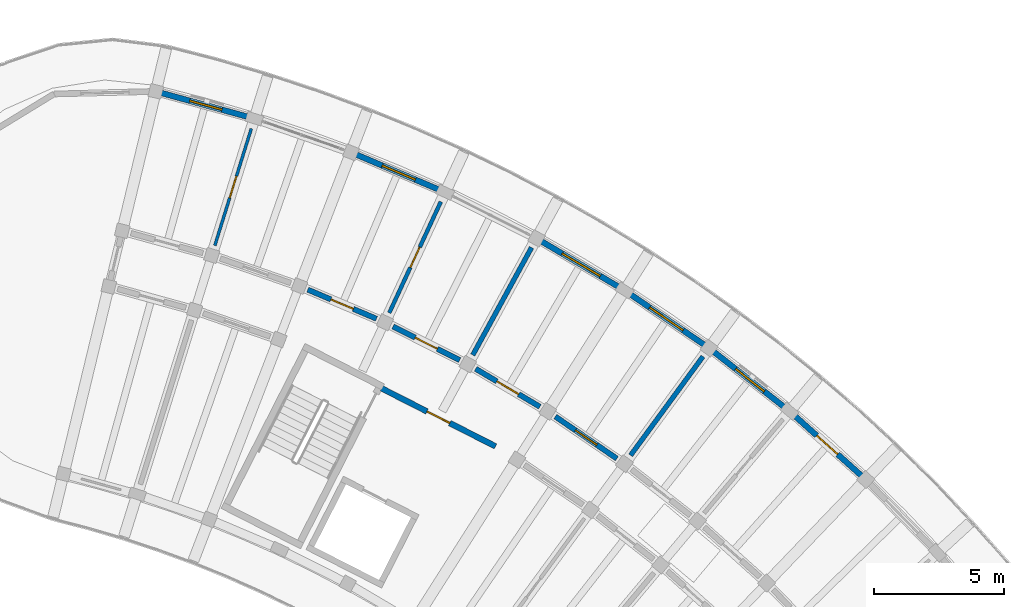
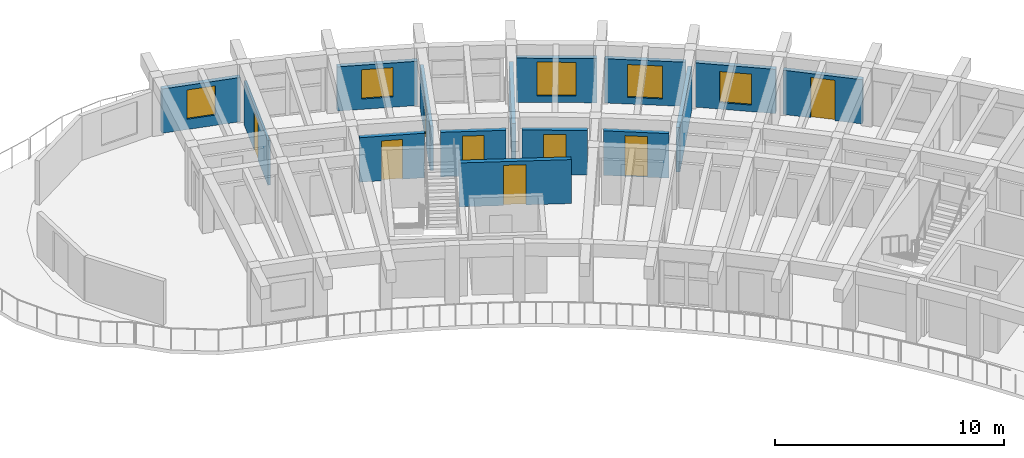
# One storey, part 44 of 62: 15 walls, 8 doors, 5 windows, 13 openings.
"""IFC4 building model written with IfcOpenShell, lengths in metres."""

from ifc_helpers import new_model, si_unit, direction, frame, frame_2d, origin, place, context, subcontext, project, spatial, rectangle, extrude, material, layer, layer_set, type_object, element, fill, save


model = new_model("IFC4")

# Units and contexts
model_context = context("Model", 3, precision=1e-05, world=origin(), true_north=direction((0.0, 1.0)))
body_context = subcontext(model_context, "Body", "Model", "MODEL_VIEW")
ifc_project = project(units=[si_unit("LENGTHUNIT", "METRE"), si_unit("AREAUNIT", "SQUARE_METRE"), si_unit("VOLUMEUNIT", "CUBIC_METRE"), si_unit("PLANEANGLEUNIT", "RADIAN"), si_unit("MASSUNIT", "GRAM", prefix="KILO")], contexts=[model_context])

# Site, building, storey
site_placement = place(None, origin())
site = spatial("IfcSite", under=ifc_project, at=site_placement, CompositionType="ELEMENT")
building_placement = place(site_placement, origin())
building = spatial("IfcBuilding", under=site, at=building_placement, Name="Tanwirah Colonnade Gardens", CompositionType="ELEMENT")
storey_placement = place(building_placement, frame((0.0, 0.0, 32.360107421875)))
storey = spatial("IfcBuildingStorey", under=building, at=storey_placement, Name="L09", CompositionType="ELEMENT", Elevation=32.360107421875)

# Wall, opening, door
ifc_material_1 = material(Name="Limestone architectural precast concrete C40/50", Category="masonry")
ifc_layer_1 = layer(ifc_material_1, 0.219970703125)
ifc_layer_set_1 = layer_set([ifc_layer_1], Name="Limestone architectural precast concrete C40/50")
wall_type_1 = type_object("IfcWallType", Name="EW-PC220", PredefinedType="SOLIDWALL", material=ifc_layer_set_1)
wall_1_placement = place(storey_placement, frame((162.03662109375, 103.34375, 0.0), z_axis=(0.0, 0.0, 1.0), x_axis=(-0.744438243575, 0.667691322021, 0.0)))
wall_1 = element("IfcWall", 1, at=wall_1_placement, inside=storey, type_object=wall_type_1, Name="Block B L09 OUT Precast Facade Wall 8", PredefinedType="SOLIDWALL", context=body_context, shape_type="SweptSolid", body=[
    extrude(rectangle(XDim=3.54052734375, YDim=0.219970703125, at=frame_2d((1.770263671875, 0.0))), origin(), (0.0, 0.0, 1.0), 2.35498046875),
])
opening_1_placement = place(wall_1_placement, frame((1.230224609375, 0.0, 0.0)))
opening_1 = element("IfcOpeningElement", 2, at=opening_1_placement, cuts=wall_1, Name="Opening L09-ED110", PredefinedType="OPENING", context=body_context, shape_type="SweptSolid", body=[
    extrude(rectangle(XDim=1.080078125, YDim=2.14990234375, at=frame_2d((0.5400390625, 1.074951171875))), frame((0.0, 0.119873046875, 0.0), z_axis=(0.0, -1.0, 0.0), x_axis=(1.0, 0.0, 0.0)), (0.0, 0.0, 1.0), 0.239990234375),
])
ifc_material_2 = material(Name="Bronze aluminium glazed balcony door", Category="aluminium")
door_type_1 = type_object("IfcDoorType", Name="ED-BAL108", OperationType="NOTDEFINED", PredefinedType="DOOR", material=ifc_material_2)
door_1_placement = place(opening_1_placement, origin())
door_1 = element("IfcDoor", 3, at=door_1_placement, inside=storey, type_object=door_type_1, Name="Balcony glazed door L09-ED110", OperationType="SINGLE_SWING_RIGHT", OverallHeight=2.14990234375, OverallWidth=1.080078125, PredefinedType="DOOR", context=body_context, shape_type="SweptSolid", body=[
    extrude(rectangle(XDim=1.080078125, YDim=2.14990234375, at=frame_2d((0.5400390625, 1.074951171875))), frame((0.0, 0.02490234375, 0.0), z_axis=(0.0, -1.0, 0.0), x_axis=(1.0, 0.0, 0.0)), (0.0, 0.0, 1.0), 0.050048828125),
])
fill(opening_1, door_1)

# Wall, opening, window
wall_2_placement = place(storey_placement, frame((159.148193359375, 105.919677734375, 0.0), z_axis=(0.0, 0.0, 1.0), x_axis=(-0.786813367299, 0.617190995592, 0.0)))
wall_2 = element("IfcWall", 4, at=wall_2_placement, inside=storey, type_object=wall_type_1, Name="Block B L09 OUT Precast Facade Wall 9", PredefinedType="SOLIDWALL", context=body_context, shape_type="SweptSolid", body=[
    extrude(rectangle(XDim=3.540771484375, YDim=0.219970703125, at=frame_2d((1.7705078125, 0.0))), origin(), (0.0, 0.0, 1.0), 2.35498046875),
])
opening_2_placement = place(wall_2_placement, frame((1.0703125, 0.0, 0.35009765625)))
opening_2 = element("IfcOpeningElement", 5, at=opening_2_placement, cuts=wall_2, Name="Opening WIN-T06", PredefinedType="OPENING", context=body_context, shape_type="SweptSolid", body=[
    extrude(rectangle(XDim=1.39990234375, YDim=1.64990234375, at=frame_2d((0.699951171875, 0.824951171875))), frame((0.0, 0.119873046875, 0.0), z_axis=(0.0, -1.0, 0.0), x_axis=(1.0, 0.0, 0.0)), (0.0, 0.0, 1.0), 0.239990234375),
])
ifc_material_3 = material(Name="Thermally broken bronze aluminium and solar low-E double glazing", Category="aluminium")
window_type_1 = type_object("IfcWindowType", Name="WIN-T06", PartitioningType="DOUBLE_PANEL_VERTICAL", PredefinedType="WINDOW", material=ifc_material_3)
window_1_placement = place(opening_2_placement, origin())
window_1 = element("IfcWindow", 6, at=window_1_placement, inside=storey, type_object=window_type_1, Name="Facade window B-L09-OUT-09", OverallHeight=1.64990234375, OverallWidth=1.39990234375, PartitioningType="SINGLE_PANEL", PredefinedType="WINDOW", context=body_context, shape_type="SweptSolid", body=[
    extrude(rectangle(XDim=1.39990234375, YDim=1.64990234375, at=frame_2d((0.699951171875, 0.824951171875))), frame((0.0, 0.030029296875, 0.0), z_axis=(0.0, -1.0, 0.0), x_axis=(1.0, 0.0, 0.0)), (0.0, 0.0, 1.0), 0.06005859375),
])
fill(opening_2, window_1)

wall_3_placement = place(storey_placement, frame((156.007568359375, 108.364990234375, 0.0), z_axis=(0.0, 0.0, 1.0), x_axis=(-0.825792366032, 0.563974262005, 0.0)))
wall_3 = element("IfcWall", 7, at=wall_3_placement, inside=storey, type_object=wall_type_1, Name="Block B L09 OUT Precast Facade Wall 10", PredefinedType="SOLIDWALL", context=body_context, shape_type="SweptSolid", body=[
    extrude(rectangle(XDim=3.54052734375, YDim=0.219970703125, at=frame_2d((1.770263671875, 0.0))), origin(), (0.0, 0.0, 1.0), 2.35498046875),
])
opening_3_placement = place(wall_3_placement, frame((0.995361328125, 0.0, 0.35009765625)))
opening_3 = element("IfcOpeningElement", 8, at=opening_3_placement, cuts=wall_3, Name="Opening WIN-T09", PredefinedType="OPENING", context=body_context, shape_type="SweptSolid", body=[
    extrude(rectangle(XDim=1.550048828125, YDim=1.75, at=frame_2d((0.77490234375, 0.875))), frame((0.0, 0.119873046875, 0.0), z_axis=(0.0, -1.0, 0.0), x_axis=(1.0, 0.0, 0.0)), (0.0, 0.0, 1.0), 0.239990234375),
])
window_type_2 = type_object("IfcWindowType", Name="WIN-T09", PartitioningType="DOUBLE_PANEL_VERTICAL", PredefinedType="WINDOW", material=ifc_material_3)
window_2_placement = place(opening_3_placement, origin())
window_2 = element("IfcWindow", 9, at=window_2_placement, inside=storey, type_object=window_type_2, Name="Facade window B-L09-OUT-10", OverallHeight=1.75, OverallWidth=1.550048828125, PartitioningType="SINGLE_PANEL", PredefinedType="WINDOW", context=body_context, shape_type="SweptSolid", body=[
    extrude(rectangle(XDim=1.550048828125, YDim=1.75, at=frame_2d((0.77490234375, 0.875))), frame((0.0, 0.030029296875, 0.0), z_axis=(0.0, -1.0, 0.0), x_axis=(1.0, 0.0, 0.0)), (0.0, 0.0, 1.0), 0.06005859375),
])
fill(opening_3, window_2)

wall_4_placement = place(storey_placement, frame((152.805419921875, 110.538818359375, 0.0), z_axis=(0.0, 0.0, 1.0), x_axis=(-0.861133733249, 0.508378494294, 0.0)))
wall_4 = element("IfcWall", 10, at=wall_4_placement, inside=storey, type_object=wall_type_1, Name="Block B L09 OUT Precast Facade Wall 11", PredefinedType="SOLIDWALL", context=body_context, shape_type="SweptSolid", body=[
    extrude(rectangle(XDim=3.540771484375, YDim=0.219970703125, at=frame_2d((1.7705078125, 0.0))), origin(), (0.0, 0.0, 1.0), 2.35498046875),
])
opening_4_placement = place(wall_4_placement, frame((0.92041015625, 0.0, 0.35009765625)))
opening_4 = element("IfcOpeningElement", 11, at=opening_4_placement, cuts=wall_4, Name="Opening WIN-T12", PredefinedType="OPENING", context=body_context, shape_type="SweptSolid", body=[
    extrude(rectangle(XDim=1.699951171875, YDim=1.800048828125, at=frame_2d((0.85009765625, 0.89990234375))), frame((0.0, 0.119873046875, 0.0), z_axis=(0.0, -1.0, 0.0), x_axis=(1.0, 0.0, 0.0)), (0.0, 0.0, 1.0), 0.239990234375),
])
window_type_3 = type_object("IfcWindowType", Name="WIN-T12", PartitioningType="TRIPLE_PANEL_VERTICAL", PredefinedType="WINDOW", material=ifc_material_3)
window_3_placement = place(opening_4_placement, origin())
window_3 = element("IfcWindow", 12, at=window_3_placement, inside=storey, type_object=window_type_3, Name="Facade window B-L09-OUT-11", OverallHeight=1.800048828125, OverallWidth=1.699951171875, PartitioningType="SINGLE_PANEL", PredefinedType="WINDOW", context=body_context, shape_type="SweptSolid", body=[
    extrude(rectangle(XDim=1.699951171875, YDim=1.800048828125, at=frame_2d((0.85009765625, 0.89990234375))), frame((0.0, 0.030029296875, 0.0), z_axis=(0.0, -1.0, 0.0), x_axis=(1.0, 0.0, 0.0)), (0.0, 0.0, 1.0), 0.06005859375),
])
fill(opening_4, window_3)

wall_5_placement = place(storey_placement, frame((145.910400390625, 114.28369140625, 0.0), z_axis=(0.0, 0.0, 1.0), x_axis=(-0.920498375564, 0.390746389088, 0.0)))
wall_5 = element("IfcWall", 13, at=wall_5_placement, inside=storey, type_object=wall_type_1, Name="Block B L09 OUT Precast Facade Wall 13", PredefinedType="SOLIDWALL", context=body_context, shape_type="SweptSolid", body=[
    extrude(rectangle(XDim=3.540771484375, YDim=0.219970703125, at=frame_2d((1.7705078125, 0.0))), origin(), (0.0, 0.0, 1.0), 2.35498046875),
])
opening_5_placement = place(wall_5_placement, frame((1.080322265625, 0.0, 0.550048828125)))
opening_5 = element("IfcOpeningElement", 14, at=opening_5_placement, cuts=wall_5, Name="Opening WIN-T18", PredefinedType="OPENING", context=body_context, shape_type="SweptSolid", body=[
    extrude(rectangle(XDim=1.3798828125, YDim=1.56005859375, at=frame_2d((0.68994140625, 0.780029296875))), frame((0.0, 0.119873046875, 0.0), z_axis=(0.0, -1.0, 0.0), x_axis=(1.0, 0.0, 0.0)), (0.0, 0.0, 1.0), 0.239990234375),
])
window_type_4 = type_object("IfcWindowType", Name="WIN-T18", PartitioningType="DOUBLE_PANEL_VERTICAL", PredefinedType="WINDOW", material=ifc_material_3)
window_4_placement = place(opening_5_placement, origin())
window_4 = element("IfcWindow", 15, at=window_4_placement, inside=storey, type_object=window_type_4, Name="Facade window B-L09-OUT-13", OverallHeight=1.56005859375, OverallWidth=1.3798828125, PartitioningType="SINGLE_PANEL", PredefinedType="WINDOW", context=body_context, shape_type="SweptSolid", body=[
    extrude(rectangle(XDim=1.3798828125, YDim=1.56005859375, at=frame_2d((0.68994140625, 0.780029296875))), frame((0.0, 0.030029296875, 0.0), z_axis=(0.0, -1.0, 0.0), x_axis=(1.0, 0.0, 0.0)), (0.0, 0.0, 1.0), 0.06005859375),
])
fill(opening_5, window_4)

wall_6_placement = place(storey_placement, frame((138.582763671875, 117.089599609375, 0.0), z_axis=(0.0, 0.0, 1.0), x_axis=(-0.963891366843, 0.266295762125, 0.0)))
wall_6 = element("IfcWall", 16, at=wall_6_placement, inside=storey, type_object=wall_type_1, Name="Block B L09 OUT Precast Facade Wall 15", PredefinedType="SOLIDWALL", context=body_context, shape_type="SweptSolid", body=[
    extrude(rectangle(XDim=3.540771484375, YDim=0.219970703125, at=frame_2d((1.7705078125, 0.0))), origin(), (0.0, 0.0, 1.0), 2.35498046875),
])
opening_6_placement = place(wall_6_placement, frame((1.13037109375, 0.0, 0.550048828125)))
opening_6 = element("IfcOpeningElement", 17, at=opening_6_placement, cuts=wall_6, Name="Opening WIN-U04", PredefinedType="OPENING", context=body_context, shape_type="SweptSolid", body=[
    extrude(rectangle(XDim=1.280029296875, YDim=1.56005859375, at=frame_2d((0.64013671875, 0.780029296875))), frame((0.0, 0.119873046875, 0.0), z_axis=(0.0, -1.0, 0.0), x_axis=(1.0, 0.0, 0.0)), (0.0, 0.0, 1.0), 0.239990234375),
])
window_type_5 = type_object("IfcWindowType", Name="WIN-U04", PartitioningType="DOUBLE_PANEL_VERTICAL", PredefinedType="WINDOW", material=ifc_material_3)
window_5_placement = place(opening_6_placement, origin())
window_5 = element("IfcWindow", 18, at=window_5_placement, inside=storey, type_object=window_type_5, Name="Facade window B-L09-OUT-15", OverallHeight=1.56005859375, OverallWidth=1.280029296875, PartitioningType="SINGLE_PANEL", PredefinedType="WINDOW", context=body_context, shape_type="SweptSolid", body=[
    extrude(rectangle(XDim=1.280029296875, YDim=1.56005859375, at=frame_2d((0.64013671875, 0.780029296875))), frame((0.0, 0.030029296875, 0.0), z_axis=(0.0, -1.0, 0.0), x_axis=(1.0, 0.0, 0.0)), (0.0, 0.0, 1.0), 0.06005859375),
])
fill(opening_6, window_5)

# Wall, opening, door
ifc_material_4 = material(Name="Precast concrete C40/50", Category="concrete")
ifc_layer_2 = layer(ifc_material_4, 0.205078125)
ifc_layer_set_2 = layer_set([ifc_layer_2], Name="Precast concrete C40/50")
wall_type_2 = type_object("IfcWallType", Name="IW-CORR205", PredefinedType="PARTITIONING", material=ifc_layer_set_2)
wall_7_placement = place(storey_placement, frame((152.650146484375, 104.001220703125, 0.0), z_axis=(0.0, 0.0, 1.0), x_axis=(-0.825779671787, 0.563992848947, 0.0)))
wall_7 = element("IfcWall", 19, at=wall_7_placement, inside=storey, type_object=wall_type_2, Name="Block B L09 OUT Corridor Wall 10", PredefinedType="PARTITIONING", context=body_context, shape_type="SweptSolid", body=[
    extrude(rectangle(XDim=2.863037109375, YDim=0.205078125, at=frame_2d((1.431640625, 0.0))), origin(), (0.0, 0.0, 1.0), 2.369873046875),
])
opening_7_placement = place(wall_7_placement, frame((0.9365234375, 0.0, 0.0)))
opening_7 = element("IfcOpeningElement", 20, at=opening_7_placement, cuts=wall_7, Name="Opening L09-AD1181", PredefinedType="OPENING", context=body_context, shape_type="SweptSolid", body=[
    extrude(rectangle(XDim=0.989990234375, YDim=2.159912109375, at=frame_2d((0.4951171875, 1.080078125))), frame((0.0, 0.112548828125, 0.0), z_axis=(0.0, -1.0, 0.0), x_axis=(1.0, 0.0, 0.0)), (0.0, 0.0, 1.0), 0.22509765625),
])
ifc_material_5 = material(Name="Solid oak fire-resisting apartment entrance door")
door_type_2 = type_object("IfcDoorType", Name="ID-FLT099", OperationType="NOTDEFINED", PredefinedType="DOOR", material=ifc_material_5)
door_2_placement = place(opening_7_placement, origin())
door_2 = element("IfcDoor", 21, at=door_2_placement, inside=storey, type_object=door_type_2, Name="Apartment corridor door L09-AD1181", OperationType="SINGLE_SWING_RIGHT", OverallHeight=2.159912109375, OverallWidth=0.989990234375, PredefinedType="DOOR", context=body_context, shape_type="SweptSolid", body=[
    extrude(rectangle(XDim=0.989990234375, YDim=2.159912109375, at=frame_2d((0.4951171875, 1.080078125))), frame((0.0, 0.02490234375, 0.0), z_axis=(0.0, -1.0, 0.0), x_axis=(1.0, 0.0, 0.0)), (0.0, 0.0, 1.0), 0.050048828125),
])
fill(opening_7, door_2)

wall_8_placement = place(storey_placement, frame((149.6953125, 105.991455078125, 0.0), z_axis=(0.0, 0.0, 1.0), x_axis=(-0.861113214678, 0.508413248753, 0.0)))
wall_8 = element("IfcWall", 22, at=wall_8_placement, inside=storey, type_object=wall_type_2, Name="Block B L09 OUT Corridor Wall 11", PredefinedType="PARTITIONING", context=body_context, shape_type="SweptSolid", body=[
    extrude(rectangle(XDim=2.863037109375, YDim=0.205078125, at=frame_2d((1.431640625, 0.0))), origin(), (0.0, 0.0, 1.0), 2.369873046875),
])
opening_8_placement = place(wall_8_placement, frame((0.946533203125, 0.0, 0.0)))
opening_8 = element("IfcOpeningElement", 23, at=opening_8_placement, cuts=wall_8, Name="Opening L09-AD1183", PredefinedType="OPENING", context=body_context, shape_type="SweptSolid", body=[
    extrude(rectangle(XDim=0.969970703125, YDim=2.14990234375, at=frame_2d((0.48486328125, 1.074951171875))), frame((0.0, 0.112548828125, 0.0), z_axis=(0.0, -1.0, 0.0), x_axis=(1.0, 0.0, 0.0)), (0.0, 0.0, 1.0), 0.22509765625),
])
door_type_3 = type_object("IfcDoorType", Name="ID-FLT097", OperationType="NOTDEFINED", PredefinedType="DOOR", material=ifc_material_5)
door_3_placement = place(opening_8_placement, origin())
door_3 = element("IfcDoor", 24, at=door_3_placement, inside=storey, type_object=door_type_3, Name="Apartment corridor door L09-AD1183", OperationType="SINGLE_SWING_LEFT", OverallHeight=2.14990234375, OverallWidth=0.969970703125, PredefinedType="DOOR", context=body_context, shape_type="SweptSolid", body=[
    extrude(rectangle(XDim=0.969970703125, YDim=2.14990234375, at=frame_2d((0.48486328125, 1.074951171875))), frame((0.0, 0.02490234375, 0.0), z_axis=(0.0, -1.0, 0.0), x_axis=(1.0, 0.0, 0.0)), (0.0, 0.0, 1.0), 0.050048828125),
])
fill(opening_8, door_3)

wall_9_placement = place(storey_placement, frame((146.615966796875, 107.782470703125, 0.0), z_axis=(0.0, 0.0, 1.0), x_axis=(-0.89273239336, 0.450587254419, 0.0)))
wall_9 = element("IfcWall", 25, at=wall_9_placement, inside=storey, type_object=wall_type_2, Name="Block B L09 OUT Corridor Wall 12", PredefinedType="PARTITIONING", context=body_context, shape_type="SweptSolid", body=[
    extrude(rectangle(XDim=2.863037109375, YDim=0.205078125, at=frame_2d((1.431640625, 0.0))), origin(), (0.0, 0.0, 1.0), 2.369873046875),
])
opening_9_placement = place(wall_9_placement, frame((0.95654296875, 0.0, 0.0)))
opening_9 = element("IfcOpeningElement", 26, at=opening_9_placement, cuts=wall_9, Name="Opening L09-AD1184", PredefinedType="OPENING", context=body_context, shape_type="SweptSolid", body=[
    extrude(rectangle(XDim=0.949951171875, YDim=2.1298828125, at=frame_2d((0.47509765625, 1.06494140625))), frame((0.0, 0.112548828125, 0.0), z_axis=(0.0, -1.0, 0.0), x_axis=(1.0, 0.0, 0.0)), (0.0, 0.0, 1.0), 0.22509765625),
])
door_type_4 = type_object("IfcDoorType", Name="ID-FLT095", OperationType="NOTDEFINED", PredefinedType="DOOR", material=ifc_material_5)
door_4_placement = place(opening_9_placement, origin())
door_4 = element("IfcDoor", 27, at=door_4_placement, inside=storey, type_object=door_type_4, Name="Apartment corridor door L09-AD1184", OperationType="SINGLE_SWING_RIGHT", OverallHeight=2.1298828125, OverallWidth=0.949951171875, PredefinedType="DOOR", context=body_context, shape_type="SweptSolid", body=[
    extrude(rectangle(XDim=0.949951171875, YDim=2.1298828125, at=frame_2d((0.47509765625, 1.06494140625))), frame((0.0, 0.02490234375, 0.0), z_axis=(0.0, -1.0, 0.0), x_axis=(1.0, 0.0, 0.0)), (0.0, 0.0, 1.0), 0.050048828125),
])
fill(opening_9, door_4)

wall_10_placement = place(storey_placement, frame((143.42529296875, 109.366943359375, 0.0), z_axis=(0.0, 0.0, 1.0), x_axis=(-0.920511160294, 0.390716270168, 0.0)))
wall_10 = element("IfcWall", 28, at=wall_10_placement, inside=storey, type_object=wall_type_2, Name="Block B L09 OUT Corridor Wall 13", PredefinedType="PARTITIONING", context=body_context, shape_type="SweptSolid", body=[
    extrude(rectangle(XDim=2.863037109375, YDim=0.205078125, at=frame_2d((1.431640625, 0.0))), origin(), (0.0, 0.0, 1.0), 2.369873046875),
])
opening_10_placement = place(wall_10_placement, frame((0.966552734375, 0.0, 0.0)))
opening_10 = element("IfcOpeningElement", 29, at=opening_10_placement, cuts=wall_10, Name="Opening L09-AD1186", PredefinedType="OPENING", context=body_context, shape_type="SweptSolid", body=[
    extrude(rectangle(XDim=0.929931640625, YDim=2.1201171875, at=frame_2d((0.46484375, 1.06005859375))), frame((0.0, 0.112548828125, 0.0), z_axis=(0.0, -1.0, 0.0), x_axis=(1.0, 0.0, 0.0)), (0.0, 0.0, 1.0), 0.22509765625),
])
door_type_5 = type_object("IfcDoorType", Name="ID-FLT093", OperationType="NOTDEFINED", PredefinedType="DOOR", material=ifc_material_5)
door_5_placement = place(opening_10_placement, origin())
door_5 = element("IfcDoor", 30, at=door_5_placement, inside=storey, type_object=door_type_5, Name="Apartment corridor door L09-AD1186", OperationType="SINGLE_SWING_LEFT", OverallHeight=2.1201171875, OverallWidth=0.929931640625, PredefinedType="DOOR", context=body_context, shape_type="SweptSolid", body=[
    extrude(rectangle(XDim=0.929931640625, YDim=2.1201171875, at=frame_2d((0.46484375, 1.06005859375))), frame((0.0, 0.02490234375, 0.0), z_axis=(0.0, -1.0, 0.0), x_axis=(1.0, 0.0, 0.0)), (0.0, 0.0, 1.0), 0.050048828125),
])
fill(opening_10, door_5)

# Walls
ifc_layer_3 = layer(ifc_material_4, 0.18505859375)
ifc_layer_set_3 = layer_set([ifc_layer_3], Name="Precast concrete C40/50")
wall_type_3 = type_object("IfcWallType", Name="IW-DEM185", PredefinedType="PARTITIONING", material=ifc_layer_set_3)
wall_11_placement = place(storey_placement, frame((153.175537109375, 104.12646484375, 0.0), z_axis=(0.0, 0.0, 1.0), x_axis=(0.590910940129, 0.806736797745, 0.0)))
element("IfcWall", 31, at=wall_11_placement, inside=storey, type_object=wall_type_3, Name="Block B L09 Radial Partition 9", PredefinedType="PARTITIONING", context=body_context, shape_type="SweptSolid", body=[
    extrude(rectangle(XDim=4.7001953125, YDim=0.18505859375, at=frame_2d((2.35009765625, 0.0))), origin(), (0.0, 0.0, 1.0), 2.369873046875),
])
wall_12_placement = place(storey_placement, frame((147.120361328125, 107.975830078125, 0.0), z_axis=(0.0, 0.0, 1.0), x_axis=(0.479721743761, 0.877420679357, 0.0)))
element("IfcWall", 32, at=wall_12_placement, inside=storey, type_object=wall_type_3, Name="Block B L09 Radial Partition 11", PredefinedType="PARTITIONING", context=body_context, shape_type="SweptSolid", body=[
    extrude(rectangle(XDim=4.699951171875, YDim=0.18505859375, at=frame_2d((2.35009765625, 0.0))), origin(), (0.0, 0.0, 1.0), 2.369873046875),
])

# Wall, opening, door
ifc_material_6 = material(Name="Autoclaved aerated masonry blockwork", Category="masonry")
ifc_layer_4 = layer(ifc_material_6, 0.219970703125)
ifc_layer_set_4 = layer_set([ifc_layer_4], Name="Autoclaved aerated masonry blockwork")
wall_type_4 = type_object("IfcWallType", Name="IW-FFL220", PredefinedType="PARTITIONING", material=ifc_layer_set_4)
wall_13_placement = place(storey_placement, frame((143.624755859375, 106.6962890625, 0.0), z_axis=(0.0, 0.0, 1.0), x_axis=(0.891003372311, -0.453996685595, 0.0)))
wall_13 = element("IfcWall", 33, at=wall_13_placement, inside=storey, type_object=wall_type_4, Name="CORE-B2 L09 Enclosed Lobby Fire Wall", PredefinedType="PARTITIONING", context=body_context, shape_type="SweptSolid", body=[
    extrude(rectangle(XDim=4.900146484375, YDim=0.219970703125, at=frame_2d((2.4501953125, 0.0))), origin(), (0.0, 0.0, 1.0), 2.33984375),
])
opening_11_placement = place(wall_13_placement, frame((1.949951171875, 0.0, 0.0)))
opening_11 = element("IfcOpeningElement", 34, at=opening_11_placement, cuts=wall_13, Name="Opening L09-LD117", PredefinedType="OPENING", context=body_context, shape_type="SweptSolid", body=[
    extrude(rectangle(XDim=0.97998046875, YDim=2.139892578125, at=frame_2d((0.489990234375, 1.06982421875))), frame((0.0, 0.119873046875, 0.0), z_axis=(0.0, -1.0, 0.0), x_axis=(1.0, 0.0, 0.0)), (0.0, 0.0, 1.0), 0.239990234375),
])
ifc_material_7 = material(Name="Acoustic fire-resisting lobby door")
door_type_6 = type_object("IfcDoorType", Name="ID-FFL098", OperationType="NOTDEFINED", PredefinedType="DOOR", material=ifc_material_7)
door_6_placement = place(opening_11_placement, origin())
door_6 = element("IfcDoor", 35, at=door_6_placement, inside=storey, type_object=door_type_6, Name="CORE-B2 L09 Lobby Fire Door L09-LD117", OperationType="SINGLE_SWING_RIGHT", OverallHeight=2.139892578125, OverallWidth=0.97998046875, PredefinedType="DOOR", context=body_context, shape_type="SweptSolid", body=[
    extrude(rectangle(XDim=0.97998046875, YDim=2.139892578125, at=frame_2d((0.489990234375, 1.06982421875))), frame((0.0, 0.02490234375, 0.0), z_axis=(0.0, -1.0, 0.0), x_axis=(1.0, 0.0, 0.0)), (0.0, 0.0, 1.0), 0.050048828125),
])
fill(opening_11, door_6)

ifc_material_8 = material(Name="Acoustic gypsum stud partition")
ifc_layer_5 = layer(ifc_material_8, 0.114990234375)
ifc_layer_set_5 = layer_set([ifc_layer_5], Name="Acoustic gypsum stud partition")
wall_type_5 = type_object("IfcWallType", Name="IW-INT115", PredefinedType="PARTITIONING", material=ifc_layer_set_5)
wall_14_placement = place(storey_placement, frame((137.222412109375, 112.17724609375, 0.0), z_axis=(0.0, 0.0, 1.0), x_axis=(0.297905254614, 0.954595442726, 0.0)))
wall_14 = element("IfcWall", 36, at=wall_14_placement, inside=storey, type_object=wall_type_5, Name="Block B L09 Radial Partition 14", PredefinedType="PARTITIONING", context=body_context, shape_type="SweptSolid", body=[
    extrude(rectangle(XDim=4.699951171875, YDim=0.114990234375, at=frame_2d((2.35009765625, 0.0))), origin(), (0.0, 0.0, 1.0), 2.369873046875),
])
opening_12_placement = place(wall_14_placement, frame((1.9150390625, 0.0, 0.0)))
opening_12 = element("IfcOpeningElement", 37, at=opening_12_placement, cuts=wall_14, Name="Opening L09-RD1189", PredefinedType="OPENING", context=body_context, shape_type="SweptSolid", body=[
    extrude(rectangle(XDim=0.8701171875, YDim=2.080078125, at=frame_2d((0.43505859375, 1.0400390625))), frame((0.0, 0.0673828125, 0.0), z_axis=(0.0, -1.0, 0.0), x_axis=(1.0, 0.0, 0.0)), (0.0, 0.0, 1.0), 0.135009765625),
])
ifc_material_9 = material(Name="Painted hardwood study door", Category="wood")
door_type_7 = type_object("IfcDoorType", Name="ID-RM087", OperationType="NOTDEFINED", PredefinedType="DOOR", material=ifc_material_9)
door_7_placement = place(opening_12_placement, origin())
door_7 = element("IfcDoor", 38, at=door_7_placement, inside=storey, type_object=door_type_7, Name="Internal apartment door L09-RD1189", OperationType="SINGLE_SWING_RIGHT", OverallHeight=2.080078125, OverallWidth=0.8701171875, PredefinedType="DOOR", context=body_context, shape_type="SweptSolid", body=[
    extrude(rectangle(XDim=0.8701171875, YDim=2.080078125, at=frame_2d((0.43505859375, 1.0400390625))), frame((0.0, 0.02490234375, 0.0), z_axis=(0.0, -1.0, 0.0), x_axis=(1.0, 0.0, 0.0)), (0.0, 0.0, 1.0), 0.050048828125),
])
fill(opening_12, door_7)

ifc_material_10 = material(Name="Water-resistant acoustic plumbing partition")
ifc_layer_6 = layer(ifc_material_10, 0.14990234375)
ifc_layer_set_6 = layer_set([ifc_layer_6], Name="Water-resistant acoustic plumbing partition")
wall_type_6 = type_object("IfcWallType", Name="IW-WET150", PredefinedType="PLUMBINGWALL", material=ifc_layer_set_6)
wall_15_placement = place(storey_placement, frame((143.915771484375, 109.593017578125, 0.0), z_axis=(0.0, 0.0, 1.0), x_axis=(0.420862519045, 0.907124434718, 0.0)))
wall_15 = element("IfcWall", 39, at=wall_15_placement, inside=storey, type_object=wall_type_6, Name="Block B L09 Radial Partition 12", PredefinedType="PLUMBINGWALL", context=body_context, shape_type="SweptSolid", body=[
    extrude(rectangle(XDim=4.699951171875, YDim=0.14990234375, at=frame_2d((2.35009765625, 0.0))), origin(), (0.0, 0.0, 1.0), 2.369873046875),
])
opening_13_placement = place(wall_15_placement, frame((1.919921875, 0.0, 0.0)))
opening_13 = element("IfcOpeningElement", 40, at=opening_13_placement, cuts=wall_15, Name="Opening L09-RD1185", PredefinedType="OPENING", context=body_context, shape_type="SweptSolid", body=[
    extrude(rectangle(XDim=0.860107421875, YDim=2.06005859375, at=frame_2d((0.43017578125, 1.030029296875))), frame((0.0, 0.0849609375, 0.0), z_axis=(0.0, -1.0, 0.0), x_axis=(1.0, 0.0, 0.0)), (0.0, 0.0, 1.0), 0.169921875),
])
ifc_material_11 = material(Name="Moisture-resistant bathroom door")
door_type_8 = type_object("IfcDoorType", Name="ID-WET086", OperationType="NOTDEFINED", PredefinedType="DOOR", material=ifc_material_11)
door_8_placement = place(opening_13_placement, origin())
door_8 = element("IfcDoor", 41, at=door_8_placement, inside=storey, type_object=door_type_8, Name="Internal apartment door L09-RD1185", OperationType="SINGLE_SWING_RIGHT", OverallHeight=2.06005859375, OverallWidth=0.860107421875, PredefinedType="DOOR", context=body_context, shape_type="SweptSolid", body=[
    extrude(rectangle(XDim=0.860107421875, YDim=2.06005859375, at=frame_2d((0.43017578125, 1.030029296875))), frame((0.0, 0.02490234375, 0.0), z_axis=(0.0, -1.0, 0.0), x_axis=(1.0, 0.0, 0.0)), (0.0, 0.0, 1.0), 0.050048828125),
])
fill(opening_13, door_8)

save(model, "model.ifc")
